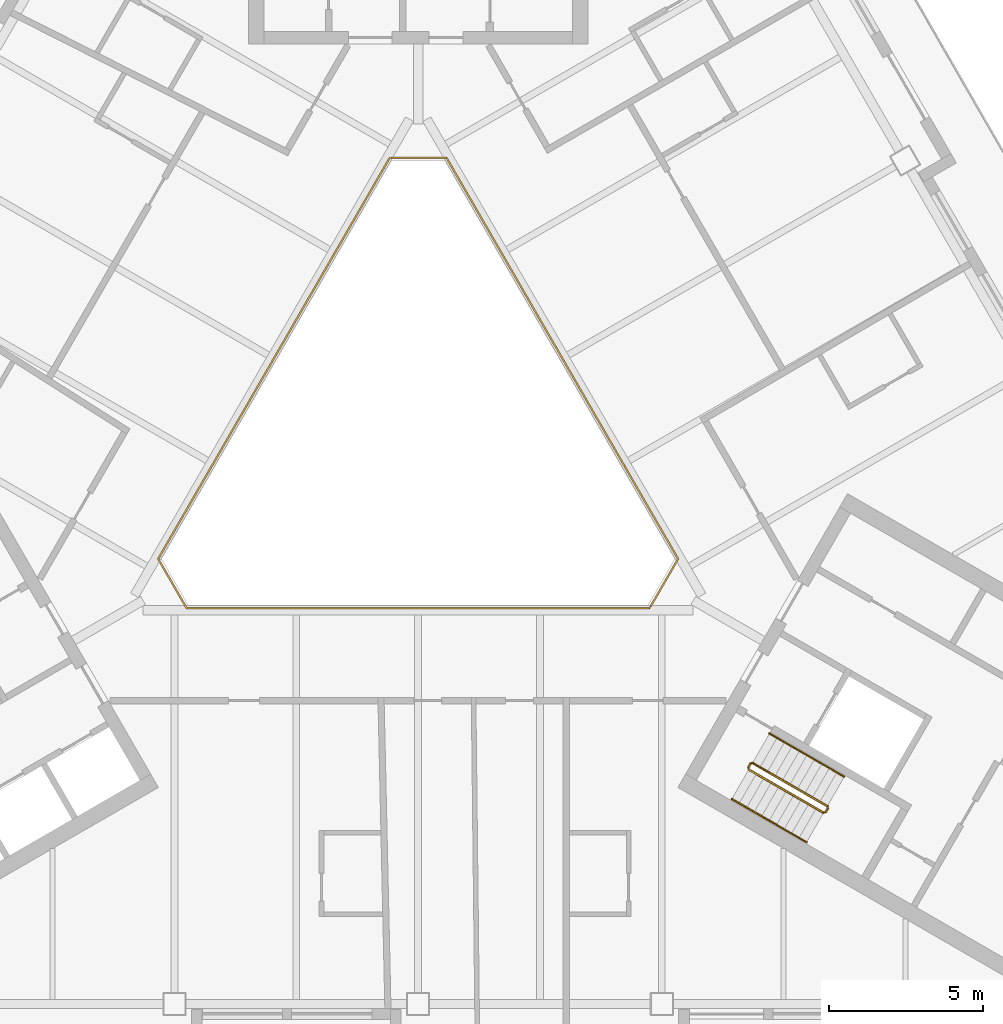
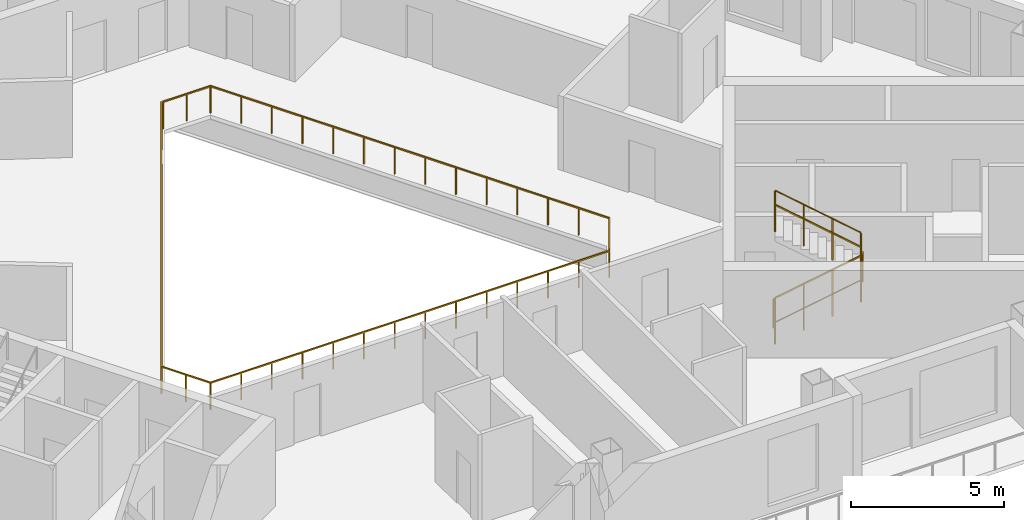
# One storey, part 11 of 13: 8 railings.
"""IFC4 building model written with IfcOpenShell, lengths in metres."""

from ifc_helpers import new_model, si_unit, direction, frame, origin, origin_2d, place, context, subcontext, project, spatial, rectangle, circle, extrude, material, type_object, element, save


model = new_model("IFC4")

# Units and contexts
model_context = context("Model", 3, precision=1e-05, world=origin(), true_north=direction((0.0, 1.0)))
body_context = subcontext(model_context, "Body", "Model", "MODEL_VIEW")
ifc_project = project(units=[si_unit("LENGTHUNIT", "METRE"), si_unit("AREAUNIT", "SQUARE_METRE"), si_unit("VOLUMEUNIT", "CUBIC_METRE"), si_unit("PLANEANGLEUNIT", "RADIAN"), si_unit("MASSUNIT", "GRAM", prefix="KILO")], contexts=[model_context])

# Site, building, storey
site_placement = place(None, origin())
site = spatial("IfcSite", under=ifc_project, at=site_placement, CompositionType="ELEMENT")
building_placement = place(site_placement, origin())
building = spatial("IfcBuilding", under=site, at=building_placement, Name="Apuvela Tower Hotel", CompositionType="ELEMENT")
storey_placement = place(building_placement, frame((0.0, 0.0, 198.39990234375)))
storey = spatial("IfcBuildingStorey", under=building, at=storey_placement, Name="L48", CompositionType="ELEMENT", Elevation=198.39990234375)

# Railings
ifc_material_1 = material(Name="Steel S275 balustrade", Category="steel")
railing_type_1 = type_object("IfcRailingType", Name="COR-GUARD-1100", PredefinedType="GUARDRAIL", material=ifc_material_1)
railing_1_placement = place(storey_placement, frame((10.718994140625, -10.63427734375, 0.168212890625)))
element("IfcRailing", 1, at=railing_1_placement, inside=storey, type_object=railing_type_1, Name="L48 ST3 stair guard 1", PredefinedType="GUARDRAIL", context=body_context, shape_type="SweptSolid", body=[
    extrude(rectangle(XDim=0.048095703125, YDim=0.048095703125, at=origin_2d()), frame((0.0, 0.0, 1.076171875), z_axis=(0.742390482028, -0.42860119049, 0.514934356695), x_axis=(0.49998411664, 0.866034573852, 0.0)), (0.0, 0.0, 1.0), 3.26611328125),
    extrude(rectangle(XDim=0.0419921875, YDim=0.0419921875, at=origin_2d()), origin(), (0.0, 0.0, 1.0), 1.052001953125),
    extrude(rectangle(XDim=0.0419921875, YDim=0.0419921875, at=origin_2d()), frame((0.808349609375, -0.466552734375, 0.560546875)), (0.0, 0.0, 1.0), 1.052001953125),
    extrude(rectangle(XDim=0.0419921875, YDim=0.0419921875, at=origin_2d()), frame((1.616455078125, -0.933349609375, 1.121337890625)), (0.0, 0.0, 1.0), 1.052001953125),
    extrude(rectangle(XDim=0.0419921875, YDim=0.0419921875, at=origin_2d()), frame((2.4248046875, -1.39990234375, 1.681884765625)), (0.0, 0.0, 1.0), 1.052001953125),
])
railing_2_placement = place(storey_placement, frame((13.212158203125, -12.015869140625, 1.85009765625)))
element("IfcRailing", 2, at=railing_2_placement, inside=storey, type_object=railing_type_1, Name="L48 ST3 stair guard 2", PredefinedType="GUARDRAIL", context=body_context, shape_type="SweptSolid", body=[
    extrude(rectangle(XDim=0.048095703125, YDim=0.048095703125, at=origin_2d()), frame((0.0, 0.0, 1.076171875), z_axis=(0.499816412211, 0.866131372301, 0.0), x_axis=(-0.866131372301, 0.499816412211, 0.0)), (0.0, 0.0, 1.0), 0.14990234375),
    extrude(rectangle(XDim=0.0419921875, YDim=0.0419921875, at=origin_2d()), origin(), (0.0, 0.0, 1.0), 1.052001953125),
    extrude(rectangle(XDim=0.0419921875, YDim=0.0419921875, at=origin_2d()), frame((0.074951171875, 0.1298828125, 0.0)), (0.0, 0.0, 1.0), 1.052001953125),
])
railing_3_placement = place(storey_placement, frame((13.268798828125, -11.817626953125, 2.018310546875)))
element("IfcRailing", 3, at=railing_3_placement, inside=storey, type_object=railing_type_1, Name="L48 ST3 stair guard 3", PredefinedType="GUARDRAIL", context=body_context, shape_type="SweptSolid", body=[
    extrude(rectangle(XDim=0.048095703125, YDim=0.048095703125, at=origin_2d()), frame((0.0, 0.0, 1.076171875), z_axis=(-0.742390482028, 0.42860119049, 0.514934356695), x_axis=(-0.49998411664, -0.866034573852, 0.0)), (0.0, 0.0, 1.0), 3.26611328125),
    extrude(rectangle(XDim=0.0419921875, YDim=0.0419921875, at=origin_2d()), origin(), (0.0, 0.0, 1.0), 1.052001953125),
    extrude(rectangle(XDim=0.0419921875, YDim=0.0419921875, at=origin_2d()), frame((-0.808349609375, 0.466552734375, 0.560546875)), (0.0, 0.0, 1.0), 1.052001953125),
    extrude(rectangle(XDim=0.0419921875, YDim=0.0419921875, at=origin_2d()), frame((-1.616455078125, 0.933349609375, 1.121337890625)), (0.0, 0.0, 1.0), 1.052001953125),
    extrude(rectangle(XDim=0.0419921875, YDim=0.0419921875, at=origin_2d()), frame((-2.4248046875, 1.39990234375, 1.681884765625)), (0.0, 0.0, 1.0), 1.052001953125),
])
railing_4_placement = place(storey_placement, frame((10.70068359375, -10.56591796875, 0.0)))
element("IfcRailing", 4, at=railing_4_placement, inside=storey, type_object=railing_type_1, Name="L48 ST3 stair guard 4", PredefinedType="GUARDRAIL", context=body_context, shape_type="SweptSolid", body=[
    extrude(rectangle(XDim=0.048095703125, YDim=0.048095703125, at=origin_2d()), frame((0.0, 0.0, 1.076171875), z_axis=(0.499816412211, 0.866131372301, 0.0), x_axis=(-0.866131372301, 0.499816412211, 0.0)), (0.0, 0.0, 1.0), 0.14990234375),
    extrude(rectangle(XDim=0.0419921875, YDim=0.0419921875, at=origin_2d()), origin(), (0.0, 0.0, 1.0), 1.052001953125),
    extrude(rectangle(XDim=0.0419921875, YDim=0.0419921875, at=origin_2d()), frame((0.074951171875, 0.1298828125, 0.0)), (0.0, 0.0, 1.0), 1.052001953125),
])
ifc_material_2 = material(Name="Stainless steel 316 handrail", Category="steel")
railing_type_2 = type_object("IfcRailingType", Name="COR-HANDRAIL-900", PredefinedType="HANDRAIL", material=ifc_material_2)
railing_5_placement = place(storey_placement, frame((10.1689453125, -11.5869140625, 0.168212890625)))
element("IfcRailing", 5, at=railing_5_placement, inside=storey, type_object=railing_type_2, Name="L48 ST3 stair handrail 1", PredefinedType="HANDRAIL", context=body_context, shape_type="SweptSolid", body=[
    extrude(circle(Radius=0.02392578125, at=origin_2d()), frame((0.0, 0.0, 0.8759765625), z_axis=(0.742390482028, -0.42860119049, 0.514934356695), x_axis=(0.49998411664, 0.866034573852, 0.0)), (0.0, 0.0, 1.0), 3.26611328125),
    extrude(rectangle(XDim=0.0419921875, YDim=0.0419921875, at=origin_2d()), origin(), (0.0, 0.0, 1.0), 0.851806640625),
    extrude(rectangle(XDim=0.0419921875, YDim=0.0419921875, at=origin_2d()), frame((0.808349609375, -0.466552734375, 0.560546875)), (0.0, 0.0, 1.0), 0.851806640625),
    extrude(rectangle(XDim=0.0419921875, YDim=0.0419921875, at=origin_2d()), frame((1.616455078125, -0.933349609375, 1.121337890625)), (0.0, 0.0, 1.0), 0.851806640625),
    extrude(rectangle(XDim=0.0419921875, YDim=0.0419921875, at=origin_2d()), frame((2.4248046875, -1.39990234375, 1.681884765625)), (0.0, 0.0, 1.0), 0.851806640625),
])
railing_6_placement = place(storey_placement, frame((13.81884765625, -10.864990234375, 2.018310546875)))
element("IfcRailing", 6, at=railing_6_placement, inside=storey, type_object=railing_type_2, Name="L48 ST3 stair handrail 2", PredefinedType="HANDRAIL", context=body_context, shape_type="SweptSolid", body=[
    extrude(circle(Radius=0.02392578125, at=origin_2d()), frame((0.0, 0.0, 0.8759765625), z_axis=(-0.742390482028, 0.42860119049, 0.514934356695), x_axis=(-0.49998411664, -0.866034573852, 0.0)), (0.0, 0.0, 1.0), 3.26611328125),
    extrude(rectangle(XDim=0.0419921875, YDim=0.0419921875, at=origin_2d()), origin(), (0.0, 0.0, 1.0), 0.851806640625),
    extrude(rectangle(XDim=0.0419921875, YDim=0.0419921875, at=origin_2d()), frame((-0.808349609375, 0.466552734375, 0.560546875)), (0.0, 0.0, 1.0), 0.851806640625),
    extrude(rectangle(XDim=0.0419921875, YDim=0.0419921875, at=origin_2d()), frame((-1.616455078125, 0.933349609375, 1.121337890625)), (0.0, 0.0, 1.0), 0.851806640625),
    extrude(rectangle(XDim=0.0419921875, YDim=0.0419921875, at=origin_2d()), frame((-2.4248046875, 1.39990234375, 1.681884765625)), (0.0, 0.0, 1.0), 0.851806640625),
])
ifc_material_3 = material(Name="Stainless steel 316 rail with laminated glass infill", Category="steel")
railing_type_3 = type_object("IfcRailingType", Name="ENV-GUARD-1100", PredefinedType="GUARDRAIL", material=ifc_material_3)
railing_7_placement = place(storey_placement, frame((-0.923828125, 9.199951171875, 0.0)))
element("IfcRailing", 7, at=railing_7_placement, inside=storey, type_object=railing_type_3, Name="Atrium void guard A L48", PredefinedType="GUARDRAIL", context=body_context, shape_type="SweptSolid", body=[
    extrude(rectangle(XDim=0.050048828125, YDim=0.050048828125, at=origin_2d()), frame((0.0, 0.0, 1.0751953125), z_axis=(-0.499990886379, -0.866030665472, 0.0), x_axis=(0.866030665472, -0.499990886379, 0.0)), (0.0, 0.0, 1.0), 15.010986328125),
    extrude(rectangle(XDim=0.050048828125, YDim=0.050048828125, at=origin_2d()), frame((-7.50537109375, -13.0, 1.0751953125), z_axis=(0.499962699187, -0.866046938348, 0.0), x_axis=(0.866046938348, 0.499962699187, 0.0)), (0.0, 0.0, 1.0), 1.847412109375),
    extrude(rectangle(XDim=0.050048828125, YDim=0.050048828125, at=origin_2d()), frame((-6.581787109375, -14.599853515625, 1.0751953125), z_axis=(1.0, 0.0, 0.0), x_axis=(0.0, 1.0, 0.0)), (0.0, 0.0, 1.0), 15.01123046875),
    extrude(rectangle(XDim=0.0400390625, YDim=0.0400390625, at=origin_2d()), origin(), (0.0, 0.0, 1.0), 1.050048828125),
    extrude(rectangle(XDim=0.0400390625, YDim=0.0400390625, at=origin_2d()), frame((-0.577392578125, -1.0, 0.0)), (0.0, 0.0, 1.0), 1.050048828125),
    extrude(rectangle(XDim=0.0400390625, YDim=0.0400390625, at=origin_2d()), frame((-1.15478515625, -2.0, 0.0)), (0.0, 0.0, 1.0), 1.050048828125),
    extrude(rectangle(XDim=0.0400390625, YDim=0.0400390625, at=origin_2d()), frame((-1.73193359375, -3.0, 0.0)), (0.0, 0.0, 1.0), 1.050048828125),
    extrude(rectangle(XDim=0.0400390625, YDim=0.0400390625, at=origin_2d()), frame((-2.309326171875, -4.0, 0.0)), (0.0, 0.0, 1.0), 1.050048828125),
    extrude(rectangle(XDim=0.0400390625, YDim=0.0400390625, at=origin_2d()), frame((-2.88671875, -5.0, 0.0)), (0.0, 0.0, 1.0), 1.050048828125),
    extrude(rectangle(XDim=0.0400390625, YDim=0.0400390625, at=origin_2d()), frame((-3.464111328125, -6.0, 0.0)), (0.0, 0.0, 1.0), 1.050048828125),
    extrude(rectangle(XDim=0.0400390625, YDim=0.0400390625, at=origin_2d()), frame((-4.041259765625, -7.0, 0.0)), (0.0, 0.0, 1.0), 1.050048828125),
    extrude(rectangle(XDim=0.0400390625, YDim=0.0400390625, at=origin_2d()), frame((-4.61865234375, -8.0, 0.0)), (0.0, 0.0, 1.0), 1.050048828125),
    extrude(rectangle(XDim=0.0400390625, YDim=0.0400390625, at=origin_2d()), frame((-5.196044921875, -9.0, 0.0)), (0.0, 0.0, 1.0), 1.050048828125),
    extrude(rectangle(XDim=0.0400390625, YDim=0.0400390625, at=origin_2d()), frame((-5.7734375, -10.0, 0.0)), (0.0, 0.0, 1.0), 1.050048828125),
    extrude(rectangle(XDim=0.0400390625, YDim=0.0400390625, at=origin_2d()), frame((-6.3505859375, -11.0, 0.0)), (0.0, 0.0, 1.0), 1.050048828125),
    extrude(rectangle(XDim=0.0400390625, YDim=0.0400390625, at=origin_2d()), frame((-6.927978515625, -12.0, 0.0)), (0.0, 0.0, 1.0), 1.050048828125),
    extrude(rectangle(XDim=0.0400390625, YDim=0.0400390625, at=origin_2d()), frame((-7.50537109375, -13.0, 0.0)), (0.0, 0.0, 1.0), 1.050048828125),
    extrude(rectangle(XDim=0.0400390625, YDim=0.0400390625, at=origin_2d()), frame((-7.04345703125, -13.7998046875, 0.0)), (0.0, 0.0, 1.0), 1.050048828125),
    extrude(rectangle(XDim=0.0400390625, YDim=0.0400390625, at=origin_2d()), frame((-6.581787109375, -14.599853515625, 0.0)), (0.0, 0.0, 1.0), 1.050048828125),
    extrude(rectangle(XDim=0.0400390625, YDim=0.0400390625, at=origin_2d()), frame((-5.427001953125, -14.599853515625, 0.0)), (0.0, 0.0, 1.0), 1.050048828125),
    extrude(rectangle(XDim=0.0400390625, YDim=0.0400390625, at=origin_2d()), frame((-4.2724609375, -14.599853515625, 0.0)), (0.0, 0.0, 1.0), 1.050048828125),
    extrude(rectangle(XDim=0.0400390625, YDim=0.0400390625, at=origin_2d()), frame((-3.11767578125, -14.599853515625, 0.0)), (0.0, 0.0, 1.0), 1.050048828125),
    extrude(rectangle(XDim=0.0400390625, YDim=0.0400390625, at=origin_2d()), frame((-1.962890625, -14.599853515625, 0.0)), (0.0, 0.0, 1.0), 1.050048828125),
    extrude(rectangle(XDim=0.0400390625, YDim=0.0400390625, at=origin_2d()), frame((-0.808349609375, -14.599853515625, 0.0)), (0.0, 0.0, 1.0), 1.050048828125),
    extrude(rectangle(XDim=0.0400390625, YDim=0.0400390625, at=origin_2d()), frame((0.346435546875, -14.599853515625, 0.0)), (0.0, 0.0, 1.0), 1.050048828125),
    extrude(rectangle(XDim=0.0400390625, YDim=0.0400390625, at=origin_2d()), frame((1.501220703125, -14.599853515625, 0.0)), (0.0, 0.0, 1.0), 1.050048828125),
    extrude(rectangle(XDim=0.0400390625, YDim=0.0400390625, at=origin_2d()), frame((2.656005859375, -14.599853515625, 0.0)), (0.0, 0.0, 1.0), 1.050048828125),
    extrude(rectangle(XDim=0.0400390625, YDim=0.0400390625, at=origin_2d()), frame((3.810546875, -14.599853515625, 0.0)), (0.0, 0.0, 1.0), 1.050048828125),
    extrude(rectangle(XDim=0.0400390625, YDim=0.0400390625, at=origin_2d()), frame((4.96533203125, -14.599853515625, 0.0)), (0.0, 0.0, 1.0), 1.050048828125),
    extrude(rectangle(XDim=0.0400390625, YDim=0.0400390625, at=origin_2d()), frame((6.1201171875, -14.599853515625, 0.0)), (0.0, 0.0, 1.0), 1.050048828125),
    extrude(rectangle(XDim=0.0400390625, YDim=0.0400390625, at=origin_2d()), frame((7.274658203125, -14.599853515625, 0.0)), (0.0, 0.0, 1.0), 1.050048828125),
    extrude(rectangle(XDim=0.0400390625, YDim=0.0400390625, at=origin_2d()), frame((8.429443359375, -14.599853515625, 0.0)), (0.0, 0.0, 1.0), 1.050048828125),
])
railing_8_placement = place(storey_placement, frame((7.53564453125, -5.347900390625, 0.0)))
element("IfcRailing", 8, at=railing_8_placement, inside=storey, type_object=railing_type_3, Name="Atrium void guard B L48", PredefinedType="GUARDRAIL", context=body_context, shape_type="SweptSolid", body=[
    extrude(rectangle(XDim=0.050048828125, YDim=0.050048828125, at=origin_2d()), frame((0.0, 0.0, 1.0751953125), z_axis=(0.499958946799, 0.866049104564, 0.0), x_axis=(-0.866049104564, 0.499958946799, 0.0)), (0.0, 0.0, 1.0), 1.787353515625),
    extrude(rectangle(XDim=0.050048828125, YDim=0.050048828125, at=origin_2d()), frame((0.8935546875, 1.5478515625, 1.0751953125), z_axis=(-0.499990886379, 0.866030665472, 0.0), x_axis=(-0.866030665472, -0.499990886379, 0.0)), (0.0, 0.0, 1.0), 15.010986328125),
    extrude(rectangle(XDim=0.050048828125, YDim=0.050048828125, at=origin_2d()), frame((-6.61181640625, 14.5478515625, 1.0751953125), z_axis=(-1.0, 0.0, 0.0), x_axis=(0.0, -1.0, 0.0)), (0.0, 0.0, 1.0), 1.78759765625),
    extrude(rectangle(XDim=0.0400390625, YDim=0.0400390625, at=origin_2d()), origin(), (0.0, 0.0, 1.0), 1.050048828125),
    extrude(rectangle(XDim=0.0400390625, YDim=0.0400390625, at=origin_2d()), frame((0.44677734375, 0.77392578125, 0.0)), (0.0, 0.0, 1.0), 1.050048828125),
    extrude(rectangle(XDim=0.0400390625, YDim=0.0400390625, at=origin_2d()), frame((0.8935546875, 1.5478515625, 0.0)), (0.0, 0.0, 1.0), 1.050048828125),
    extrude(rectangle(XDim=0.0400390625, YDim=0.0400390625, at=origin_2d()), frame((0.316162109375, 2.5478515625, 0.0)), (0.0, 0.0, 1.0), 1.050048828125),
    extrude(rectangle(XDim=0.0400390625, YDim=0.0400390625, at=origin_2d()), frame((-0.26123046875, 3.5478515625, 0.0)), (0.0, 0.0, 1.0), 1.050048828125),
    extrude(rectangle(XDim=0.0400390625, YDim=0.0400390625, at=origin_2d()), frame((-0.83837890625, 4.5478515625, 0.0)), (0.0, 0.0, 1.0), 1.050048828125),
    extrude(rectangle(XDim=0.0400390625, YDim=0.0400390625, at=origin_2d()), frame((-1.415771484375, 5.5478515625, 0.0)), (0.0, 0.0, 1.0), 1.050048828125),
    extrude(rectangle(XDim=0.0400390625, YDim=0.0400390625, at=origin_2d()), frame((-1.9931640625, 6.5478515625, 0.0)), (0.0, 0.0, 1.0), 1.050048828125),
    extrude(rectangle(XDim=0.0400390625, YDim=0.0400390625, at=origin_2d()), frame((-2.570556640625, 7.5478515625, 0.0)), (0.0, 0.0, 1.0), 1.050048828125),
    extrude(rectangle(XDim=0.0400390625, YDim=0.0400390625, at=origin_2d()), frame((-3.147705078125, 8.5478515625, 0.0)), (0.0, 0.0, 1.0), 1.050048828125),
    extrude(rectangle(XDim=0.0400390625, YDim=0.0400390625, at=origin_2d()), frame((-3.72509765625, 9.5478515625, 0.0)), (0.0, 0.0, 1.0), 1.050048828125),
    extrude(rectangle(XDim=0.0400390625, YDim=0.0400390625, at=origin_2d()), frame((-4.302490234375, 10.5478515625, 0.0)), (0.0, 0.0, 1.0), 1.050048828125),
    extrude(rectangle(XDim=0.0400390625, YDim=0.0400390625, at=origin_2d()), frame((-4.8798828125, 11.5478515625, 0.0)), (0.0, 0.0, 1.0), 1.050048828125),
    extrude(rectangle(XDim=0.0400390625, YDim=0.0400390625, at=origin_2d()), frame((-5.45703125, 12.5478515625, 0.0)), (0.0, 0.0, 1.0), 1.050048828125),
    extrude(rectangle(XDim=0.0400390625, YDim=0.0400390625, at=origin_2d()), frame((-6.034423828125, 13.5478515625, 0.0)), (0.0, 0.0, 1.0), 1.050048828125),
    extrude(rectangle(XDim=0.0400390625, YDim=0.0400390625, at=origin_2d()), frame((-6.61181640625, 14.5478515625, 0.0)), (0.0, 0.0, 1.0), 1.050048828125),
    extrude(rectangle(XDim=0.0400390625, YDim=0.0400390625, at=origin_2d()), frame((-7.505615234375, 14.5478515625, 0.0)), (0.0, 0.0, 1.0), 1.050048828125),
    extrude(rectangle(XDim=0.0400390625, YDim=0.0400390625, at=origin_2d()), frame((-8.3994140625, 14.5478515625, 0.0)), (0.0, 0.0, 1.0), 1.050048828125),
])

save(model, "model.ifc")
